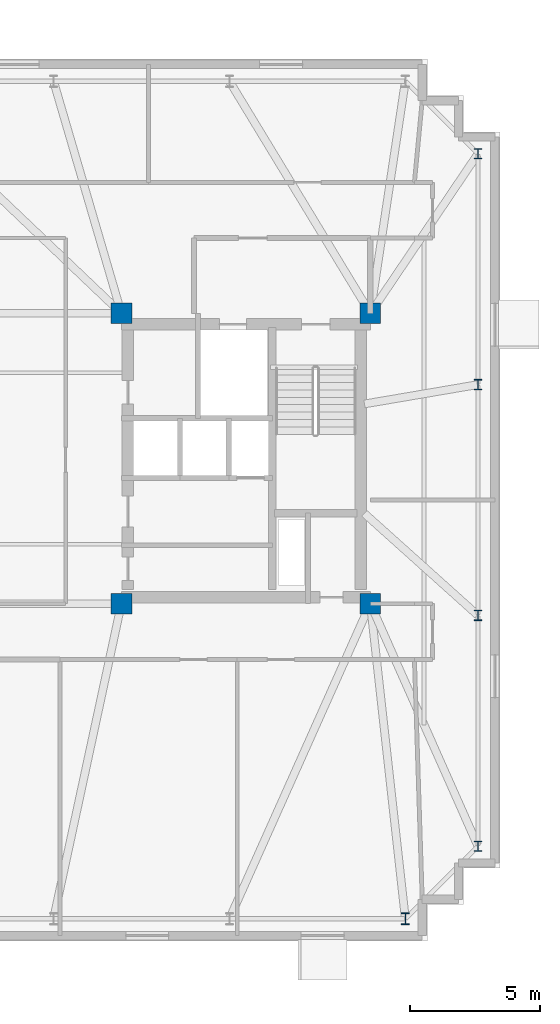
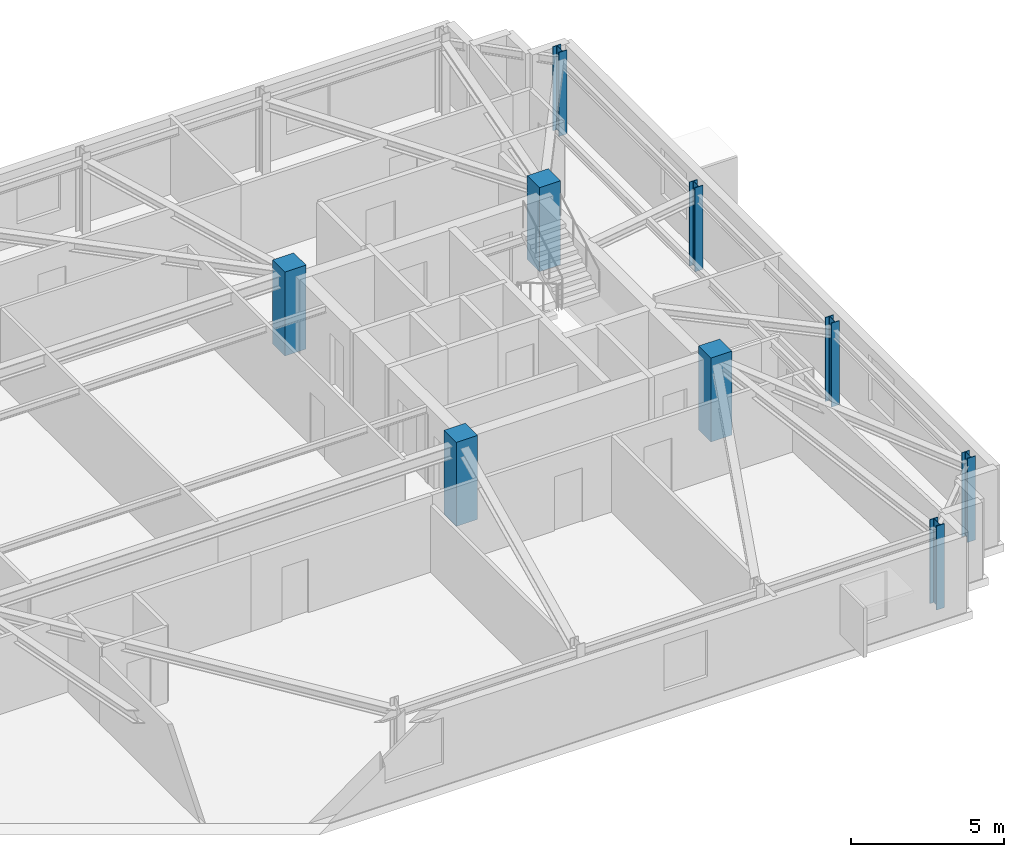
# One storey, part 2 of 10: 9 columns.
"""IFC4 building model written with IfcOpenShell, lengths in metres."""

from ifc_helpers import new_model, si_unit, direction, frame, origin, origin_2d, place, context, subcontext, project, spatial, rectangle, i_section, extrude, material, material_profile, profile_set, type_object, element, save


model = new_model("IFC4")

# Units and contexts
model_context = context("Model", 3, precision=1e-05, world=origin(), true_north=direction((0.0, 1.0)))
body_context = subcontext(model_context, "Body", "Model", "MODEL_VIEW")
ifc_project = project(units=[si_unit("LENGTHUNIT", "METRE"), si_unit("AREAUNIT", "SQUARE_METRE"), si_unit("VOLUMEUNIT", "CUBIC_METRE"), si_unit("PLANEANGLEUNIT", "RADIAN"), si_unit("MASSUNIT", "GRAM", prefix="KILO")], contexts=[model_context])

# Site, building, storey
site_placement = place(None, origin())
site = spatial("IfcSite", under=ifc_project, at=site_placement, CompositionType="ELEMENT")
building_placement = place(site_placement, origin())
building = spatial("IfcBuilding", under=site, at=building_placement, Name="Qobustan Lattice House", CompositionType="ELEMENT")
storey_placement = place(building_placement, frame((0.0, 0.0, 231.64990234375)))
storey = spatial("IfcBuildingStorey", under=building, at=storey_placement, Name="L65", CompositionType="ELEMENT", Elevation=231.64990234375)

# Columns
ifc_material_1 = material(Name="Concrete C50/60", Category="concrete")
ifc_material_profile_1 = material_profile(ifc_material_1, rectangle(XDim=0.800048828125, YDim=0.800048828125, at=origin_2d()), Name="RC800x800")
ifc_profile_set_1 = profile_set([ifc_material_profile_1], Name="Concrete C50/60")
column_type_1 = type_object("IfcColumnType", Name="COL-RC-800", PredefinedType="COLUMN", material=ifc_profile_set_1)
for number, where, z_axis, x_axis, name in (
    (1, (9.199951171875, -5.60009765625, 0.0), (0.0, 0.0, 1.0), (1.0, 0.0, 0.0), "L65 core mega-column CE-SW"),
    (2, (9.199951171875, 5.60009765625, 0.0), (0.0, 0.0, 1.0), (1.0, 0.0, 0.0), "L65 core mega-column CE-NW"),
    (3, (18.800048828125, -5.60009765625, 0.0), (0.0, 0.0, 1.0), (1.0, 0.0, 0.0), "L65 core mega-column CE-SE"),
    (4, (18.800048828125, 5.60009765625, 0.0), (0.0, 0.0, 1.0), (1.0, 0.0, 0.0), "L65 core mega-column CE-NE"),
):
    element("IfcColumn", number, at=place(storey_placement, frame(where, z_axis=z_axis, x_axis=x_axis)), inside=storey, type_object=column_type_1, Name=name, PredefinedType="COLUMN", context=body_context, shape_type="SweptSolid", body=[
        extrude(rectangle(XDim=0.800048828125, YDim=0.800048828125, at=origin_2d()), origin(), (0.0, 0.0, 1.0), 3.35009765625),
    ])
ifc_material_2 = material(Name="Steel S355", Category="steel")
ifc_material_profile_2 = material_profile(ifc_material_2, i_section(OverallWidth=0.300048828125, OverallDepth=0.39990234375, WebThickness=0.013427734375, FlangeThickness=0.02392578125, FilletRadius=0.027099609375, at=origin_2d()), Name="HEB400")
ifc_profile_set_2 = profile_set([ifc_material_profile_2], Name="Steel S355")
column_type_2 = type_object("IfcColumnType", Name="COL-ST-HEB400", PredefinedType="COLUMN", material=ifc_profile_set_2)
for number, where, z_axis, x_axis, name in (
    (5, (22.949951171875, -14.949951171875, 0.0), (0.0, 0.0, 1.0), (1.0, 0.0, 0.0), "L65 B5 perimeter column E1"),
    (6, (22.949951171875, -6.050048828125, 0.0), (0.0, 0.0, 1.0), (1.0, 0.0, 0.0), "L65 B5 perimeter column E2"),
    (7, (22.949951171875, 2.85009765625, 0.0), (0.0, 0.0, 1.0), (1.0, 0.0, 0.0), "L65 B5 perimeter column E3"),
    (8, (22.949951171875, 11.75, 0.0), (0.0, 0.0, 1.0), (1.0, 0.0, 0.0), "L65 B5 perimeter column E4"),
):
    element("IfcColumn", number, at=place(storey_placement, frame(where, z_axis=z_axis, x_axis=x_axis)), inside=storey, type_object=column_type_2, Name=name, PredefinedType="COLUMN", context=body_context, shape_type="SweptSolid", body=[
        extrude(i_section(OverallWidth=0.300048828125, OverallDepth=0.39990234375, WebThickness=0.013427734375, FlangeThickness=0.02392578125, FilletRadius=0.027099609375, at=origin_2d()), origin(), (0.0, 0.0, 1.0), 3.35009765625),
    ])
ifc_material_3 = material(Name="Steel S355", Category="steel")
ifc_material_profile_3 = material_profile(ifc_material_3, i_section(OverallWidth=0.300048828125, OverallDepth=0.449951171875, WebThickness=0.013916015625, FlangeThickness=0.02587890625, FilletRadius=0.027099609375, at=origin_2d()), Name="HEB450")
ifc_profile_set_3 = profile_set([ifc_material_profile_3], Name="Steel S355")
column_type_3 = type_object("IfcColumnType", Name="COL-ST-HEB450", PredefinedType="COLUMN", material=ifc_profile_set_3)
column_placement = place(storey_placement, frame((20.14990234375, -17.75, 0.0), z_axis=(0.0, 0.0, 1.0), x_axis=(1.0, 0.0, 0.0)))
element("IfcColumn", 9, at=column_placement, inside=storey, type_object=column_type_3, Name="L65 B5 perimeter column S7", PredefinedType="COLUMN", context=body_context, shape_type="SweptSolid", body=[
    extrude(i_section(OverallWidth=0.300048828125, OverallDepth=0.449951171875, WebThickness=0.013916015625, FlangeThickness=0.02587890625, FilletRadius=0.027099609375, at=origin_2d()), origin(), (0.0, 0.0, 1.0), 3.35009765625),
])

save(model, "model.ifc")
